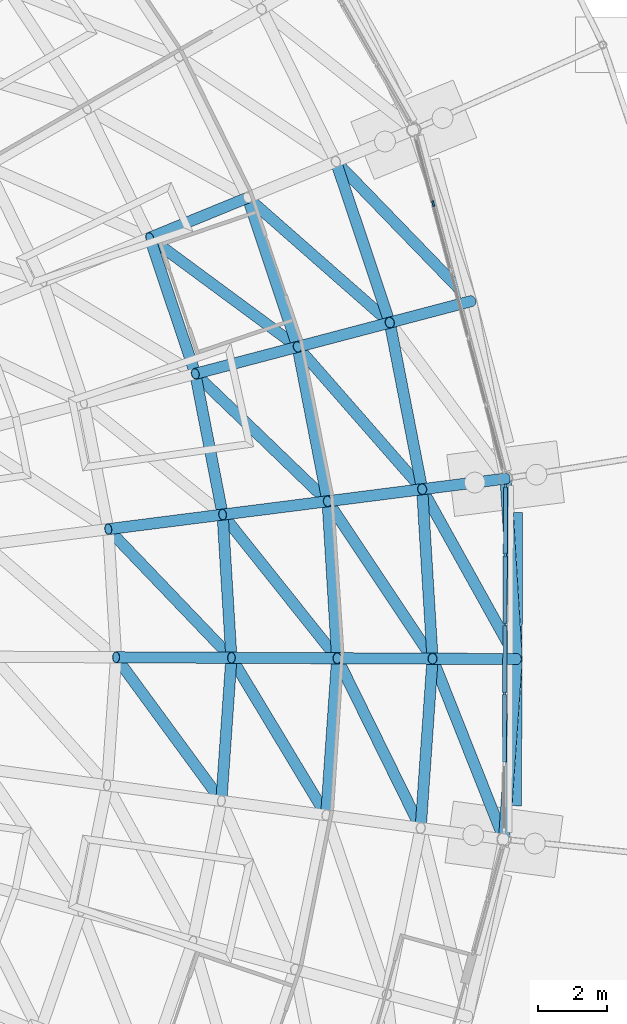
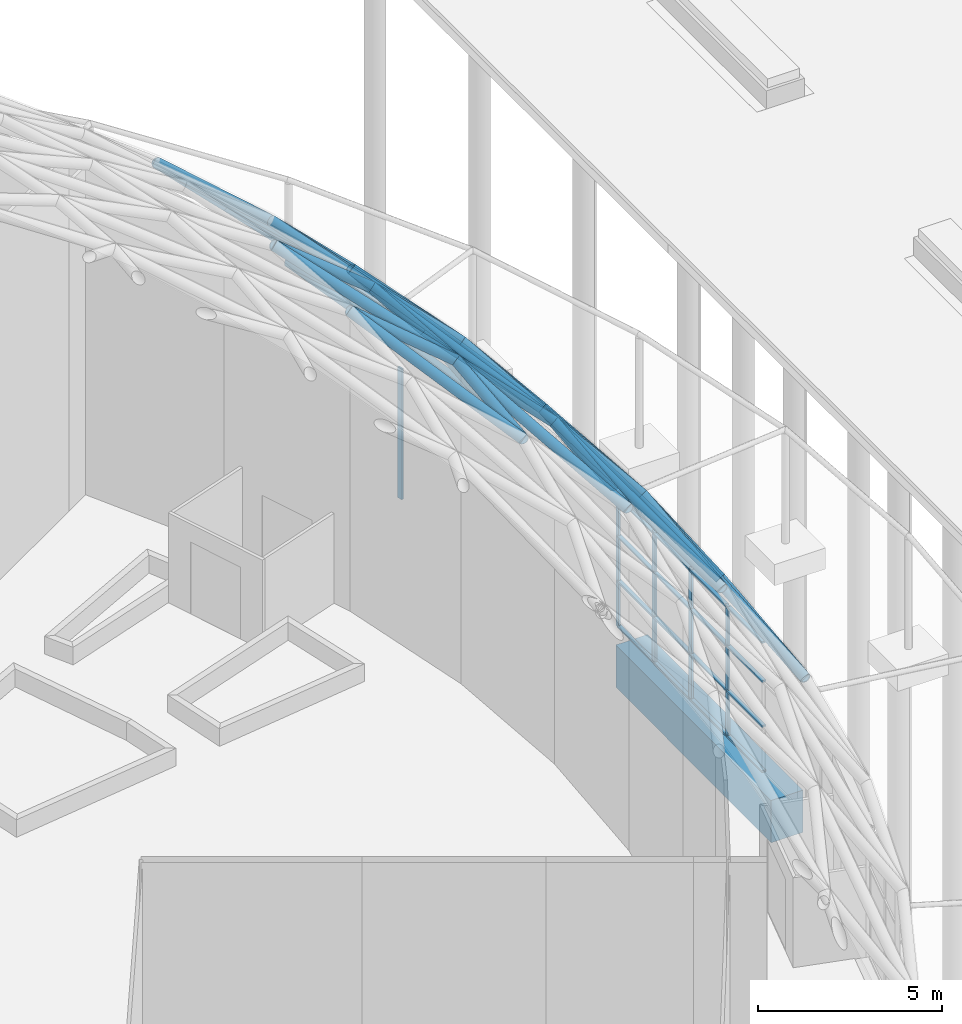
# One storey, part 111 of 226: 60 members, 1 beam, 2 elements without a shape of their own.
"""IFC4 building model written with IfcOpenShell, lengths in metres."""

from ifc_helpers import new_model, si_unit, direction, frame, origin, origin_2d, place, context, subcontext, project, spatial, rectangle, hollow_circle, extrude, material, material_profile, profile_set, type_object, element, aggregate, save


model = new_model("IFC4")

# Units and contexts
model_context = context("Model", 3, precision=1e-05, world=origin(), true_north=direction((0.0, 1.0)))
body_context = subcontext(model_context, "Body", "Model", "MODEL_VIEW")
ifc_project = project(units=[si_unit("LENGTHUNIT", "METRE"), si_unit("AREAUNIT", "SQUARE_METRE"), si_unit("VOLUMEUNIT", "CUBIC_METRE"), si_unit("PLANEANGLEUNIT", "RADIAN"), si_unit("MASSUNIT", "GRAM", prefix="KILO")], contexts=[model_context])

# Site, building, storey
site_placement = place(None, origin())
site = spatial("IfcSite", under=ifc_project, at=site_placement, CompositionType="ELEMENT")
building_placement = place(site_placement, origin())
building = spatial("IfcBuilding", under=site, at=building_placement, Name="Ceibo Conservatory and Research Tower", CompositionType="ELEMENT")
storey_placement = place(building_placement, origin())
storey = spatial("IfcBuildingStorey", under=building, at=storey_placement, Name="L00", CompositionType="ELEMENT", Elevation=0.0)

# Members
ifc_material_1 = material(Name="Steel ASTM A500 Gr C", Category="steel")
ifc_material_profile_1 = material_profile(ifc_material_1, hollow_circle(Radius=0.161865234375, WallThickness=0.01025390625, at=origin_2d()), Name="CHS 323.9x10.31")
ifc_profile_set_1 = profile_set([ifc_material_profile_1], Name="Steel ASTM A500 Gr C")
member_type_1 = type_object("IfcMemberType", Name="CHS 323.9x10.31", PredefinedType="NOTDEFINED", material=ifc_profile_set_1)
member_1_placement = place(storey_placement, frame((193.264892578125, 112.740966796875, 8.115966796875), z_axis=(-0.190905568132, 0.981608406676, 0.0), x_axis=(-0.981608406676, -0.190905568132, 0.0)))
element("IfcMember", 1, at=member_1_placement, inside=storey, type_object=member_type_1, Name="Gridshell member A-C02-01", PredefinedType="CHORD", context=body_context, shape_type="SweptSolid", body=[
    extrude(hollow_circle(Radius=0.161865234375, WallThickness=0.01025390625, at=origin_2d()), origin(), (0.0, 0.0, 1.0), 4.913330078125),
])
member_2_placement = place(storey_placement, frame((192.326904296875, 117.56396484375, 8.115966796875), z_axis=(-0.31722621995, 0.94834989607, 0.0), x_axis=(-0.94834989607, -0.31722621995, 0.0)))
element("IfcMember", 2, at=member_2_placement, inside=storey, type_object=member_type_1, Name="Gridshell member A-C02-02", PredefinedType="CHORD", context=body_context, shape_type="SweptSolid", body=[
    extrude(hollow_circle(Radius=0.161865234375, WallThickness=0.01025390625, at=origin_2d()), origin(), (0.0, 0.0, 1.0), 4.9140625),
])
member_3_placement = place(storey_placement, frame((193.221923828125, 102.93408203125, 8.115966796875), z_axis=(0.069806384365, 0.997560558915, 0.0), x_axis=(-0.997560558915, 0.069806384365, 0.0)))
element("IfcMember", 3, at=member_3_placement, inside=storey, type_object=member_type_1, Name="Gridshell member A-C02-47", PredefinedType="CHORD", context=body_context, shape_type="SweptSolid", body=[
    extrude(hollow_circle(Radius=0.161865234375, WallThickness=0.01025390625, at=origin_2d()), origin(), (0.0, 0.0, 1.0), 4.913818359375),
])
member_4_placement = place(storey_placement, frame((193.56494140625, 107.8359375, 8.115966796875), z_axis=(-0.061057537745, 0.998134248027, 0.0), x_axis=(-0.998134248027, -0.061057537745, 0.0)))
element("IfcMember", 4, at=member_4_placement, inside=storey, type_object=member_type_1, Name="Gridshell member A-C02-48", PredefinedType="CHORD", context=body_context, shape_type="SweptSolid", body=[
    extrude(hollow_circle(Radius=0.161865234375, WallThickness=0.01025390625, at=origin_2d()), origin(), (0.0, 0.0, 1.0), 4.914306640625),
])
member_5_placement = place(storey_placement, frame((190.527099609375, 112.39208984375, 11.489013671875), z_axis=(-0.190905541976, 0.981608411762, 0.0), x_axis=(-0.981608411762, -0.190905541976, 0.0)))
element("IfcMember", 5, at=member_5_placement, inside=storey, type_object=member_type_1, Name="Gridshell member A-C03-01", PredefinedType="CHORD", context=body_context, shape_type="SweptSolid", body=[
    extrude(hollow_circle(Radius=0.161865234375, WallThickness=0.01025390625, at=origin_2d()), origin(), (0.0, 0.0, 1.0), 4.552734375),
])
member_6_placement = place(storey_placement, frame((189.657958984375, 116.861083984375, 11.489013671875), z_axis=(-0.31736961709, 0.948301917191, 0.0), x_axis=(-0.948301917191, -0.31736961709, 0.0)))
element("IfcMember", 6, at=member_6_placement, inside=storey, type_object=member_type_1, Name="Gridshell member A-C03-02", PredefinedType="CHORD", context=body_context, shape_type="SweptSolid", body=[
    extrude(hollow_circle(Radius=0.161865234375, WallThickness=0.01025390625, at=origin_2d()), origin(), (0.0, 0.0, 1.0), 4.55322265625),
])
member_7_placement = place(storey_placement, frame((190.487060546875, 103.306884765625, 11.489013671875), z_axis=(0.0698291277, 0.997558967142, 0.0), x_axis=(-0.997558967142, 0.0698291277, 0.0)))
element("IfcMember", 7, at=member_7_placement, inside=storey, type_object=member_type_1, Name="Gridshell member A-C03-47", PredefinedType="CHORD", context=body_context, shape_type="SweptSolid", body=[
    extrude(hollow_circle(Radius=0.161865234375, WallThickness=0.01025390625, at=origin_2d()), origin(), (0.0, 0.0, 1.0), 4.55224609375),
])
member_8_placement = place(storey_placement, frame((190.804931640625, 107.847900390625, 11.489013671875), z_axis=(-0.061026108718, 0.998136170096, 0.0), x_axis=(-0.998136170096, -0.061026108718, 0.0)))
element("IfcMember", 8, at=member_8_placement, inside=storey, type_object=member_type_1, Name="Gridshell member A-C03-48", PredefinedType="CHORD", context=body_context, shape_type="SweptSolid", body=[
    extrude(hollow_circle(Radius=0.161865234375, WallThickness=0.01025390625, at=origin_2d()), origin(), (0.0, 0.0, 1.0), 4.552734375),
])
member_9_placement = place(storey_placement, frame((187.489013671875, 112.006103515625, 14.591064453125), z_axis=(-0.190742180699, 0.981640168546, 0.0), x_axis=(-0.981640168546, -0.190742180699, 0.0)))
element("IfcMember", 9, at=member_9_placement, inside=storey, type_object=member_type_1, Name="Gridshell member A-C04-01", PredefinedType="CHORD", context=body_context, shape_type="SweptSolid", body=[
    extrude(hollow_circle(Radius=0.161865234375, WallThickness=0.01025390625, at=origin_2d()), origin(), (0.0, 0.0, 1.0), 4.152099609375),
])
member_10_placement = place(storey_placement, frame((186.697021484375, 116.08203125, 14.591064453125), z_axis=(-0.317480004596, 0.948264966495, 0.0), x_axis=(-0.948264966495, -0.317480004596, 0.0)))
element("IfcMember", 10, at=member_10_placement, inside=storey, type_object=member_type_1, Name="Gridshell member A-C04-02", PredefinedType="CHORD", context=body_context, shape_type="SweptSolid", body=[
    extrude(hollow_circle(Radius=0.161865234375, WallThickness=0.01025390625, at=origin_2d()), origin(), (0.0, 0.0, 1.0), 4.15185546875),
])
member_11_placement = place(storey_placement, frame((187.452880859375, 103.718994140625, 14.591064453125), z_axis=(0.069851361764, 0.997557410508, 0.0), x_axis=(-0.997557410508, 0.069851361764, 0.0)))
element("IfcMember", 11, at=member_11_placement, inside=storey, type_object=member_type_1, Name="Gridshell member A-C04-47", PredefinedType="CHORD", context=body_context, shape_type="SweptSolid", body=[
    extrude(hollow_circle(Radius=0.161865234375, WallThickness=0.01025390625, at=origin_2d()), origin(), (0.0, 0.0, 1.0), 4.15234375),
])
member_12_placement = place(storey_placement, frame((187.742919921875, 107.861083984375, 14.591064453125), z_axis=(-0.061141141216, 0.998129130349, 0.0), x_axis=(-0.998129130349, -0.061141141216, 0.0)))
element("IfcMember", 12, at=member_12_placement, inside=storey, type_object=member_type_1, Name="Gridshell member A-C04-48", PredefinedType="CHORD", context=body_context, shape_type="SweptSolid", body=[
    extrude(hollow_circle(Radius=0.161865234375, WallThickness=0.01025390625, at=origin_2d()), origin(), (0.0, 0.0, 1.0), 4.15283203125),
])
ifc_material_profile_2 = material_profile(ifc_material_1, hollow_circle(Radius=0.161865234375, WallThickness=0.01416015625, at=origin_2d()), Name="CHS 323.9x14.27")
ifc_profile_set_2 = profile_set([ifc_material_profile_2], Name="Steel ASTM A500 Gr C")
member_type_2 = type_object("IfcMemberType", Name="CHS 323.9x14.27", PredefinedType="NOTDEFINED", material=ifc_profile_set_2)
member_13_placement = place(storey_placement, frame((195.679931640625, 113.048095703125, 4.5), z_axis=(-0.554019417167, -0.070456573675, 0.829516941737), x_axis=(0.126157387805, -0.992010238608, 0.0)))
element("IfcMember", 13, at=member_13_placement, inside=storey, type_object=member_type_2, Name="Gridshell member A-M01-01", PredefinedType="RAFTER", context=body_context, shape_type="SweptSolid", body=[
    extrude(hollow_circle(Radius=0.161865234375, WallThickness=0.01416015625, at=origin_2d()), origin(), (0.0, 0.0, 1.0), 4.359130859375),
])
member_14_placement = place(storey_placement, frame((194.681884765625, 118.18408203125, 4.5), z_axis=(-0.540188632558, -0.142243326425, 0.829435396726), x_axis=(0.254641337547, -0.967035567708, 0.0)))
element("IfcMember", 14, at=member_14_placement, inside=storey, type_object=member_type_2, Name="Gridshell member A-M02-01", PredefinedType="RAFTER", context=body_context, shape_type="SweptSolid", body=[
    extrude(hollow_circle(Radius=0.161865234375, WallThickness=0.01416015625, at=origin_2d()), origin(), (0.0, 0.0, 1.0), 4.359619140625),
])
member_15_placement = place(storey_placement, frame((196.0, 107.824951171875, 4.5), z_axis=(-0.558569512856, 0.002520115107, 0.829453885594), x_axis=(-0.00451168458, -0.999989822299, 0.0)))
element("IfcMember", 15, at=member_15_placement, inside=storey, type_object=member_type_2, Name="Gridshell member A-M48-01", PredefinedType="RAFTER", context=body_context, shape_type="SweptSolid", body=[
    extrude(hollow_circle(Radius=0.161865234375, WallThickness=0.01416015625, at=origin_2d()), origin(), (0.0, 0.0, 1.0), 4.359375),
])
for number, where, z_axis, x_axis, name in (
    (16, (193.264892578125, 112.740966796875, 8.115966796875), (-0.628180888534, -0.080049089505, 0.773938572854), (0.126407800723, -0.991978360609, 0.0), "Gridshell member A-M01-02"),
    (17, (192.326904296875, 117.56396484375, 8.115966796875), (-0.612382565304, -0.16127418638, 0.773936838844), (0.254671815969, -0.967027541568, 0.0), "Gridshell member A-M02-02"),
    (18, (193.56494140625, 107.8359375, 8.115966796875), (-0.633268958808, 0.002744819017, 0.773926929225), (-0.004334324611, -0.999990606771, 0.0), "Gridshell member A-M48-02"),
):
    element("IfcMember", number, at=place(storey_placement, frame(where, z_axis=z_axis, x_axis=x_axis)), inside=storey, type_object=member_type_2, Name=name, PredefinedType="RAFTER", context=body_context, shape_type="SweptSolid", body=[
        extrude(hollow_circle(Radius=0.161865234375, WallThickness=0.01416015625, at=origin_2d()), origin(), (0.0, 0.0, 1.0), 4.3583984375),
    ])
member_16_placement = place(storey_placement, frame((190.527099609375, 112.39208984375, 11.489013671875), z_axis=(-0.69695407421, -0.088547443855, 0.711627970662), x_axis=(0.126036047268, -0.992025662364, 0.0)))
element("IfcMember", 19, at=member_16_placement, inside=storey, type_object=member_type_2, Name="Gridshell member A-M01-03", PredefinedType="RAFTER", context=body_context, shape_type="SweptSolid", body=[
    extrude(hollow_circle(Radius=0.161865234375, WallThickness=0.01416015625, at=origin_2d()), origin(), (0.0, 0.0, 1.0), 4.359130859375),
])
member_17_placement = place(storey_placement, frame((189.657958984375, 116.861083984375, 11.489013671875), z_axis=(-0.679342983267, -0.178742039875, 0.711719322674), x_axis=(0.254450123778, -0.967085898206, 0.0)))
element("IfcMember", 20, at=member_17_placement, inside=storey, type_object=member_type_2, Name="Gridshell member A-M02-03", PredefinedType="RAFTER", context=body_context, shape_type="SweptSolid", body=[
    extrude(hollow_circle(Radius=0.161865234375, WallThickness=0.01416015625, at=origin_2d()), origin(), (0.0, 0.0, 1.0), 4.358642578125),
])
member_18_placement = place(storey_placement, frame((188.212890625, 121.178955078125, 11.489013671875), z_axis=(-0.650167746981, -0.266105010846, 0.71166707384), x_axis=(0.378788063188, -0.925483442956, 0.0)))
element("IfcMember", 21, at=member_18_placement, inside=storey, type_object=member_type_2, Name="Gridshell member A-M03-03", PredefinedType="RAFTER", context=body_context, shape_type="SweptSolid", body=[
    extrude(hollow_circle(Radius=0.161865234375, WallThickness=0.01416015625, at=origin_2d()), origin(), (0.0, 0.0, 1.0), 4.35888671875),
])
member_19_placement = place(storey_placement, frame((190.804931640625, 107.847900390625, 11.489013671875), z_axis=(-0.702495690598, 0.003024618665, 0.711681569505), x_axis=(-0.004305493501, -0.99999073132, 0.0)))
element("IfcMember", 22, at=member_19_placement, inside=storey, type_object=member_type_2, Name="Gridshell member A-M48-03", PredefinedType="RAFTER", context=body_context, shape_type="SweptSolid", body=[
    extrude(hollow_circle(Radius=0.161865234375, WallThickness=0.01416015625, at=origin_2d()), origin(), (0.0, 0.0, 1.0), 4.358642578125),
])
member_20_placement = place(storey_placement, frame((187.489013671875, 112.006103515625, 14.591064453125), z_axis=(-0.759554011809, -0.09661043138, 0.643229451823), x_axis=(0.126177064206, -0.992007736093, 0.0)))
element("IfcMember", 23, at=member_20_placement, inside=storey, type_object=member_type_2, Name="Gridshell member A-M01-04", PredefinedType="RAFTER", context=body_context, shape_type="SweptSolid", body=[
    extrude(hollow_circle(Radius=0.161865234375, WallThickness=0.01416015625, at=origin_2d()), origin(), (0.0, 0.0, 1.0), 4.359130859375),
])
member_21_placement = place(storey_placement, frame((187.742919921875, 107.861083984375, 14.591064453125), z_axis=(-0.765686053953, 0.003416241171, 0.643205407376), x_axis=(-0.004461629086, -0.999990046883, 0.0)))
element("IfcMember", 24, at=member_21_placement, inside=storey, type_object=member_type_2, Name="Gridshell member A-M48-04", PredefinedType="RAFTER", context=body_context, shape_type="SweptSolid", body=[
    extrude(hollow_circle(Radius=0.161865234375, WallThickness=0.01416015625, at=origin_2d()), origin(), (0.0, 0.0, 1.0), 4.359375),
])
ifc_material_2 = material(Name="Steel S355J2H", Category="steel")
ifc_material_profile_3 = material_profile(ifc_material_2, hollow_circle(Radius=0.161865234375, WallThickness=0.025390625, at=origin_2d()), Name="CHS 323.9x25.40")
ifc_profile_set_3 = profile_set([ifc_material_profile_3], Name="Steel S355J2H")
member_type_3 = type_object("IfcMemberType", Name="CHS 323.9x25.40", PredefinedType="NOTDEFINED", material=ifc_profile_set_3)
member_22_placement = place(storey_placement, frame((195.635009765625, 102.60595703125, 4.5), z_axis=(0.069764579115, 0.997563483444, 0.0), x_axis=(-0.997563483444, 0.069764579115, 0.0)))
element("IfcMember", 25, at=member_22_placement, inside=storey, type_object=member_type_3, Name="Gridshell member A-C01-47", PredefinedType="CHORD", context=body_context, shape_type="SweptSolid", body=[
    extrude(hollow_circle(Radius=0.161865234375, WallThickness=0.025390625, at=origin_2d()), origin(), (0.0, 0.0, 1.0), 5.231689453125),
])
member_23_placement = place(storey_placement, frame((196.0, 107.824951171875, 4.5), z_axis=(-0.06116413215, 0.998127721756, 0.0), x_axis=(-0.998127721756, -0.06116413215, 0.0)))
element("IfcMember", 26, at=member_23_placement, inside=storey, type_object=member_type_3, Name="Gridshell member A-C01-48", PredefinedType="CHORD", context=body_context, shape_type="SweptSolid", body=[
    extrude(hollow_circle(Radius=0.161865234375, WallThickness=0.025390625, at=origin_2d()), origin(), (0.0, 0.0, 1.0), 5.23291015625),
])
ifc_material_profile_4 = material_profile(ifc_material_1, hollow_circle(Radius=0.161865234375, WallThickness=0.00830078125, at=origin_2d()), Name="CHS 323.9x8.38")
ifc_profile_set_4 = profile_set([ifc_material_profile_4], Name="Steel ASTM A500 Gr C")
member_type_4 = type_object("IfcMemberType", Name="CHS 323.9x8.38", PredefinedType="NOTDEFINED", material=ifc_profile_set_4)
member_24_placement = place(storey_placement, frame((194.681884765625, 118.18408203125, 4.5), z_axis=(-0.585293276905, 0.604168994213, 0.54075096527), x_axis=(-0.718237511445, -0.695798014623, 0.0)))
element("IfcMember", 27, at=member_24_placement, inside=storey, type_object=member_type_4, Name="Gridshell diagonal member A-D01-02", PredefinedType="BRACE", context=body_context, shape_type="SweptSolid", body=[
    extrude(hollow_circle(Radius=0.161865234375, WallThickness=0.00830078125, at=origin_2d()), origin(), (0.0, 0.0, 1.0), 6.68701171875),
])
member_25_placement = place(storey_placement, frame((195.635009765625, 102.60595703125, 4.5), z_axis=(-0.30957602753, 0.782136768693, 0.540763125811), x_axis=(-0.929814658591, -0.368028124834, 0.0)))
element("IfcMember", 28, at=member_25_placement, inside=storey, type_object=member_type_4, Name="Gridshell diagonal member A-D01-47", PredefinedType="BRACE", context=body_context, shape_type="SweptSolid", body=[
    extrude(hollow_circle(Radius=0.161865234375, WallThickness=0.00830078125, at=origin_2d()), origin(), (0.0, 0.0, 1.0), 6.686767578125),
])
member_26_placement = place(storey_placement, frame((196.0, 107.824951171875, 4.5), z_axis=(-0.408985365174, 0.73510035822, 0.540701798053), x_axis=(-0.87385619026, -0.486184490439, 0.0)))
element("IfcMember", 29, at=member_26_placement, inside=storey, type_object=member_type_4, Name="Gridshell diagonal member A-D01-48", PredefinedType="BRACE", context=body_context, shape_type="SweptSolid", body=[
    extrude(hollow_circle(Radius=0.161865234375, WallThickness=0.00830078125, at=origin_2d()), origin(), (0.0, 0.0, 1.0), 6.6875),
])
member_27_placement = place(storey_placement, frame((193.264892578125, 112.740966796875, 8.115966796875), z_axis=(-0.560832641487, 0.640626212112, 0.524466209205), x_axis=(-0.75241095793, -0.658693973243, 0.0)))
element("IfcMember", 30, at=member_27_placement, inside=storey, type_object=member_type_4, Name="Gridshell diagonal member A-D02-01", PredefinedType="BRACE", context=body_context, shape_type="SweptSolid", body=[
    extrude(hollow_circle(Radius=0.161865234375, WallThickness=0.00830078125, at=origin_2d()), origin(), (0.0, 0.0, 1.0), 6.431396484375),
])
member_28_placement = place(storey_placement, frame((192.326904296875, 117.56396484375, 8.115966796875), z_axis=(-0.639615903283, 0.562031492487, 0.524415958682), x_axis=(-0.660078020008, -0.751197049716, 0.0)))
element("IfcMember", 31, at=member_28_placement, inside=storey, type_object=member_type_4, Name="Gridshell diagonal member A-D02-02", PredefinedType="BRACE", context=body_context, shape_type="SweptSolid", body=[
    extrude(hollow_circle(Radius=0.161865234375, WallThickness=0.00830078125, at=origin_2d()), origin(), (0.0, 0.0, 1.0), 6.431884765625),
])
for number, where, z_axis, x_axis, name in (
    (32, (193.221923828125, 102.93408203125, 8.115966796875), (-0.375802113996, 0.764017085696, 0.524452727976), (-0.897323915141, -0.441372621846, 0.0), "Gridshell diagonal member A-D02-47"),
    (33, (193.56494140625, 107.8359375, 8.115966796875), (-0.472336508124, 0.70840986214, 0.524455613295), (-0.8320159978, -0.554751637586, 0.0), "Gridshell diagonal member A-D02-48"),
):
    element("IfcMember", number, at=place(storey_placement, frame(where, z_axis=z_axis, x_axis=x_axis)), inside=storey, type_object=member_type_4, Name=name, PredefinedType="BRACE", context=body_context, shape_type="SweptSolid", body=[
        extrude(hollow_circle(Radius=0.161865234375, WallThickness=0.00830078125, at=origin_2d()), origin(), (0.0, 0.0, 1.0), 6.431640625),
    ])
member_29_placement = place(storey_placement, frame((190.527099609375, 112.39208984375, 11.489013671875), z_axis=(-0.62207515299, 0.59931437164, 0.503830118173), x_axis=(-0.693809278982, -0.720158791099, 0.0)))
element("IfcMember", 34, at=member_29_placement, inside=storey, type_object=member_type_4, Name="Gridshell diagonal member A-D03-01", PredefinedType="BRACE", context=body_context, shape_type="SweptSolid", body=[
    extrude(hollow_circle(Radius=0.161865234375, WallThickness=0.00830078125, at=origin_2d()), origin(), (0.0, 0.0, 1.0), 6.156982421875),
])
member_30_placement = place(storey_placement, frame((189.657958984375, 116.861083984375, 11.489013671875), z_axis=(-0.695016771584, 0.51292531183, 0.50384453128), x_axis=(-0.59380488963, -0.804609068462, 0.0)))
element("IfcMember", 35, at=member_30_placement, inside=storey, type_object=member_type_4, Name="Gridshell diagonal member A-D03-02", PredefinedType="BRACE", context=body_context, shape_type="SweptSolid", body=[
    extrude(hollow_circle(Radius=0.161865234375, WallThickness=0.00830078125, at=origin_2d()), origin(), (0.0, 0.0, 1.0), 6.15673828125),
])
member_31_placement = place(storey_placement, frame((190.487060546875, 103.306884765625, 11.489013671875), z_axis=(-0.44578200005, 0.739823614674, 0.503924029594), x_axis=(-0.85652717237, -0.516101930816, 0.0)))
element("IfcMember", 36, at=member_31_placement, inside=storey, type_object=member_type_4, Name="Gridshell diagonal member A-D03-47", PredefinedType="BRACE", context=body_context, shape_type="SweptSolid", body=[
    extrude(hollow_circle(Radius=0.161865234375, WallThickness=0.00830078125, at=origin_2d()), origin(), (0.0, 0.0, 1.0), 6.15576171875),
])
member_32_placement = place(storey_placement, frame((190.804931640625, 107.847900390625, 11.489013671875), z_axis=(-0.538560407164, 0.675361570815, 0.50382480735), x_axis=(-0.781844164542, -0.623473898709, 0.0)))
element("IfcMember", 37, at=member_32_placement, inside=storey, type_object=member_type_4, Name="Gridshell diagonal member A-D03-48", PredefinedType="BRACE", context=body_context, shape_type="SweptSolid", body=[
    extrude(hollow_circle(Radius=0.161865234375, WallThickness=0.00830078125, at=origin_2d()), origin(), (0.0, 0.0, 1.0), 6.156982421875),
])
member_33_placement = place(storey_placement, frame((187.452880859375, 103.718994140625, 14.591064453125), z_axis=(-0.519412348643, 0.708429514607, 0.477847711003), x_axis=(-0.806460706155, -0.591287687534, 0.0)))
element("IfcMember", 38, at=member_33_placement, inside=storey, type_object=member_type_4, Name="Gridshell diagonal member A-D04-47", PredefinedType="BRACE", context=body_context, shape_type="SweptSolid", body=[
    extrude(hollow_circle(Radius=0.161865234375, WallThickness=0.00830078125, at=origin_2d()), origin(), (0.0, 0.0, 1.0), 5.867919921875),
])
member_34_placement = place(storey_placement, frame((187.742919921875, 107.861083984375, 14.591064453125), z_axis=(-0.607479993378, 0.634563233735, 0.47780493932), x_axis=(-0.722353812018, -0.691523658499, 0.0)))
element("IfcMember", 39, at=member_34_placement, inside=storey, type_object=member_type_4, Name="Gridshell diagonal member A-D04-48", PredefinedType="BRACE", context=body_context, shape_type="SweptSolid", body=[
    extrude(hollow_circle(Radius=0.161865234375, WallThickness=0.00830078125, at=origin_2d()), origin(), (0.0, 0.0, 1.0), 5.868408203125),
])

# Curtain wall, member
ifc_material_3 = material(Name="Aluminium and glass", Category="aluminium")
curtain_wall_type = type_object("IfcCurtainWallType", Name="Drum curtain wall", PredefinedType="NOTDEFINED", material=ifc_material_3)
curtain_wall_1_placement = place(storey_placement, origin())
curtain_wall_1 = element("IfcCurtainWall", 40, at=curtain_wall_1_placement, inside=storey, type_object=curtain_wall_type, Name="Drum curtain wall A-CW01", PredefinedType="NOTDEFINED")
ifc_material_4 = material(Name="Aluminium", Category="aluminium")
ifc_material_profile_5 = material_profile(ifc_material_4, rectangle(XDim=0.06005859375, YDim=0.159912109375, at=origin_2d()), Name="AL 60x160")
ifc_profile_set_5 = profile_set([ifc_material_profile_5], Name="Aluminium")
member_type_5 = type_object("IfcMemberType", Name="Drum mullion 60x160", PredefinedType="MULLION", material=ifc_profile_set_5)
member_35_placement = place(storey_placement, frame((193.58447265625, 121.008544921875, 0.0), z_axis=(0.0, 0.0, 1.0), x_axis=(-0.967045935266, -0.254601962062, 0.0)))
member_35 = element("IfcMember", 41, at=member_35_placement, type_object=member_type_5, Name="A-CW01 mullion 5", PredefinedType="MULLION", context=body_context, shape_type="SweptSolid", body=[
    extrude(rectangle(XDim=0.06005859375, YDim=0.159912109375, at=origin_2d()), origin(), (0.0, 0.0, 1.0), 4.338134765625),
])
aggregate(curtain_wall_1, [member_35])

# Curtain wall, members
curtain_wall_2_placement = place(storey_placement, origin())
curtain_wall_2 = element("IfcCurtainWall", 42, at=curtain_wall_2_placement, inside=storey, type_object=curtain_wall_type, Name="Drum curtain wall A-CW24", PredefinedType="NOTDEFINED")
member_36_placement = place(storey_placement, frame((195.653076171875, 106.823486328125, 0.0), z_axis=(0.0, 0.0, 1.0), x_axis=(-0.999990480759, 0.004363300488, 0.0)))
member_36 = element("IfcMember", 43, at=member_36_placement, type_object=member_type_5, Name="A-CW24 mullion 3", PredefinedType="MULLION", context=body_context, shape_type="SweptSolid", body=[
    extrude(rectangle(XDim=0.06005859375, YDim=0.159912109375, at=origin_2d()), origin(), (0.0, 0.0, 1.0), 4.338134765625),
])
member_37_placement = place(storey_placement, frame((195.661865234375, 108.83056640625, 0.0), z_axis=(0.0, 0.0, 1.0), x_axis=(-0.999990480759, 0.004363300488, 0.0)))
member_37 = element("IfcMember", 44, at=member_37_placement, type_object=member_type_5, Name="A-CW24 mullion 4", PredefinedType="MULLION", context=body_context, shape_type="SweptSolid", body=[
    extrude(rectangle(XDim=0.06005859375, YDim=0.159912109375, at=origin_2d()), origin(), (0.0, 0.0, 1.0), 4.338134765625),
])
member_38_placement = place(storey_placement, frame((195.670654296875, 110.837646484375, 0.0), z_axis=(0.0, 0.0, 1.0), x_axis=(-0.999990480759, 0.004363300488, 0.0)))
member_38 = element("IfcMember", 45, at=member_38_placement, type_object=member_type_5, Name="A-CW24 mullion 5", PredefinedType="MULLION", context=body_context, shape_type="SweptSolid", body=[
    extrude(rectangle(XDim=0.06005859375, YDim=0.159912109375, at=origin_2d()), origin(), (0.0, 0.0, 1.0), 4.338134765625),
])
member_39_placement = place(storey_placement, frame((195.67919921875, 112.814697265625, 0.0), z_axis=(0.0, 0.0, 1.0), x_axis=(-0.999990480759, 0.004363300488, 0.0)))
member_39 = element("IfcMember", 46, at=member_39_placement, type_object=member_type_5, Name="A-CW24 mullion 6", PredefinedType="MULLION", context=body_context, shape_type="SweptSolid", body=[
    extrude(rectangle(XDim=0.06005859375, YDim=0.159912109375, at=origin_2d()), origin(), (0.0, 0.0, 1.0), 4.338134765625),
])
ifc_material_profile_6 = material_profile(ifc_material_4, rectangle(XDim=0.1201171875, YDim=0.06005859375, at=origin_2d()), Name="AL 60x120")
ifc_profile_set_6 = profile_set([ifc_material_profile_6], Name="Aluminium")
member_type_6 = type_object("IfcMemberType", Name="Drum transom 60x120", PredefinedType="USERDEFINED", material=ifc_profile_set_6)
member_40_placement = place(storey_placement, frame((195.64453125, 104.84619140625, 0.030029296875), z_axis=(0.004262749635, 0.999990914441, 0.0), x_axis=(-0.999990914441, 0.004262749635, 0.0)))
member_40 = element("IfcMember", 47, at=member_40_placement, type_object=member_type_6, Name="A-CW24 transom 2.1", ObjectType="TRANSOM", PredefinedType="USERDEFINED", context=body_context, shape_type="SweptSolid", body=[
    extrude(rectangle(XDim=0.1201171875, YDim=0.06005859375, at=origin_2d()), origin(), (0.0, 0.0, 1.0), 1.947265625),
])
member_41_placement = place(storey_placement, frame((195.64453125, 104.84619140625, 1.530029296875), z_axis=(0.004262749635, 0.999990914441, 0.0), x_axis=(-0.999990914441, 0.004262749635, 0.0)))
member_41 = element("IfcMember", 48, at=member_41_placement, type_object=member_type_6, Name="A-CW24 transom 2.2", ObjectType="TRANSOM", PredefinedType="USERDEFINED", context=body_context, shape_type="SweptSolid", body=[
    extrude(rectangle(XDim=0.1201171875, YDim=0.06005859375, at=origin_2d()), origin(), (0.0, 0.0, 1.0), 1.947265625),
])
member_42_placement = place(storey_placement, frame((195.64453125, 104.84619140625, 3.014892578125), z_axis=(0.004262749635, 0.999990914441, 0.0), x_axis=(-0.999990914441, 0.004262749635, 0.0)))
member_42 = element("IfcMember", 49, at=member_42_placement, type_object=member_type_6, Name="A-CW24 transom 2.3", ObjectType="TRANSOM", PredefinedType="USERDEFINED", context=body_context, shape_type="SweptSolid", body=[
    extrude(rectangle(XDim=0.1201171875, YDim=0.06005859375, at=origin_2d()), origin(), (0.0, 0.0, 1.0), 1.947265625),
])
member_43_placement = place(storey_placement, frame((195.64453125, 104.84619140625, 4.30810546875), z_axis=(0.004262749635, 0.999990914441, 0.0), x_axis=(-0.999990914441, 0.004262749635, 0.0)))
member_43 = element("IfcMember", 50, at=member_43_placement, type_object=member_type_6, Name="A-CW24 transom 2.4", ObjectType="TRANSOM", PredefinedType="USERDEFINED", context=body_context, shape_type="SweptSolid", body=[
    extrude(rectangle(XDim=0.1201171875, YDim=0.06005859375, at=origin_2d()), origin(), (0.0, 0.0, 1.0), 1.947265625),
])
member_44_placement = place(storey_placement, frame((195.653076171875, 106.853515625, 0.030029296875), z_axis=(0.004388672469, 0.999990369731, 0.0), x_axis=(-0.999990369731, 0.004388672469, 0.0)))
member_44 = element("IfcMember", 51, at=member_44_placement, type_object=member_type_6, Name="A-CW24 transom 3.1", ObjectType="TRANSOM", PredefinedType="USERDEFINED", context=body_context, shape_type="SweptSolid", body=[
    extrude(rectangle(XDim=0.1201171875, YDim=0.06005859375, at=origin_2d()), origin(), (0.0, 0.0, 1.0), 1.947021484375),
])
member_45_placement = place(storey_placement, frame((195.653076171875, 106.853515625, 1.530029296875), z_axis=(0.004388672469, 0.999990369731, 0.0), x_axis=(-0.999990369731, 0.004388672469, 0.0)))
member_45 = element("IfcMember", 52, at=member_45_placement, type_object=member_type_6, Name="A-CW24 transom 3.2", ObjectType="TRANSOM", PredefinedType="USERDEFINED", context=body_context, shape_type="SweptSolid", body=[
    extrude(rectangle(XDim=0.1201171875, YDim=0.06005859375, at=origin_2d()), origin(), (0.0, 0.0, 1.0), 1.947021484375),
])
member_46_placement = place(storey_placement, frame((195.653076171875, 106.853515625, 3.014892578125), z_axis=(0.004388672469, 0.999990369731, 0.0), x_axis=(-0.999990369731, 0.004388672469, 0.0)))
member_46 = element("IfcMember", 53, at=member_46_placement, type_object=member_type_6, Name="A-CW24 transom 3.3", ObjectType="TRANSOM", PredefinedType="USERDEFINED", context=body_context, shape_type="SweptSolid", body=[
    extrude(rectangle(XDim=0.1201171875, YDim=0.06005859375, at=origin_2d()), origin(), (0.0, 0.0, 1.0), 1.947021484375),
])
member_47_placement = place(storey_placement, frame((195.653076171875, 106.853515625, 4.30810546875), z_axis=(0.004388672469, 0.999990369731, 0.0), x_axis=(-0.999990369731, 0.004388672469, 0.0)))
member_47 = element("IfcMember", 54, at=member_47_placement, type_object=member_type_6, Name="A-CW24 transom 3.4", ObjectType="TRANSOM", PredefinedType="USERDEFINED", context=body_context, shape_type="SweptSolid", body=[
    extrude(rectangle(XDim=0.1201171875, YDim=0.06005859375, at=origin_2d()), origin(), (0.0, 0.0, 1.0), 1.947021484375),
])
member_48_placement = place(storey_placement, frame((195.661865234375, 108.860595703125, 0.030029296875), z_axis=(0.004388672469, 0.999990369731, 0.0), x_axis=(-0.999990369731, 0.004388672469, 0.0)))
member_48 = element("IfcMember", 55, at=member_48_placement, type_object=member_type_6, Name="A-CW24 transom 4.1", ObjectType="TRANSOM", PredefinedType="USERDEFINED", context=body_context, shape_type="SweptSolid", body=[
    extrude(rectangle(XDim=0.1201171875, YDim=0.06005859375, at=origin_2d()), origin(), (0.0, 0.0, 1.0), 1.947021484375),
])
member_49_placement = place(storey_placement, frame((195.661865234375, 108.860595703125, 1.530029296875), z_axis=(0.004388672469, 0.999990369731, 0.0), x_axis=(-0.999990369731, 0.004388672469, 0.0)))
member_49 = element("IfcMember", 56, at=member_49_placement, type_object=member_type_6, Name="A-CW24 transom 4.2", ObjectType="TRANSOM", PredefinedType="USERDEFINED", context=body_context, shape_type="SweptSolid", body=[
    extrude(rectangle(XDim=0.1201171875, YDim=0.06005859375, at=origin_2d()), origin(), (0.0, 0.0, 1.0), 1.947021484375),
])
member_50_placement = place(storey_placement, frame((195.661865234375, 108.860595703125, 3.014892578125), z_axis=(0.004388672469, 0.999990369731, 0.0), x_axis=(-0.999990369731, 0.004388672469, 0.0)))
member_50 = element("IfcMember", 57, at=member_50_placement, type_object=member_type_6, Name="A-CW24 transom 4.3", ObjectType="TRANSOM", PredefinedType="USERDEFINED", context=body_context, shape_type="SweptSolid", body=[
    extrude(rectangle(XDim=0.1201171875, YDim=0.06005859375, at=origin_2d()), origin(), (0.0, 0.0, 1.0), 1.947021484375),
])
member_51_placement = place(storey_placement, frame((195.661865234375, 108.860595703125, 4.30810546875), z_axis=(0.004388672469, 0.999990369731, 0.0), x_axis=(-0.999990369731, 0.004388672469, 0.0)))
member_51 = element("IfcMember", 58, at=member_51_placement, type_object=member_type_6, Name="A-CW24 transom 4.4", ObjectType="TRANSOM", PredefinedType="USERDEFINED", context=body_context, shape_type="SweptSolid", body=[
    extrude(rectangle(XDim=0.1201171875, YDim=0.06005859375, at=origin_2d()), origin(), (0.0, 0.0, 1.0), 1.947021484375),
])
member_52_placement = place(storey_placement, frame((195.670654296875, 110.86767578125, 0.030029296875), z_axis=(0.004330066385, 0.999990625219, 0.0), x_axis=(-0.999990625219, 0.004330066385, 0.0)))
member_52 = element("IfcMember", 59, at=member_52_placement, type_object=member_type_6, Name="A-CW24 transom 5.1", ObjectType="TRANSOM", PredefinedType="USERDEFINED", context=body_context, shape_type="SweptSolid", body=[
    extrude(rectangle(XDim=0.1201171875, YDim=0.06005859375, at=origin_2d()), origin(), (0.0, 0.0, 1.0), 1.9169921875),
])
member_53_placement = place(storey_placement, frame((195.670654296875, 110.86767578125, 1.530029296875), z_axis=(0.004330066385, 0.999990625219, 0.0), x_axis=(-0.999990625219, 0.004330066385, 0.0)))
member_53 = element("IfcMember", 60, at=member_53_placement, type_object=member_type_6, Name="A-CW24 transom 5.2", ObjectType="TRANSOM", PredefinedType="USERDEFINED", context=body_context, shape_type="SweptSolid", body=[
    extrude(rectangle(XDim=0.1201171875, YDim=0.06005859375, at=origin_2d()), origin(), (0.0, 0.0, 1.0), 1.9169921875),
])
member_54_placement = place(storey_placement, frame((195.670654296875, 110.86767578125, 3.014892578125), z_axis=(0.004330066385, 0.999990625219, 0.0), x_axis=(-0.999990625219, 0.004330066385, 0.0)))
member_54 = element("IfcMember", 61, at=member_54_placement, type_object=member_type_6, Name="A-CW24 transom 5.3", ObjectType="TRANSOM", PredefinedType="USERDEFINED", context=body_context, shape_type="SweptSolid", body=[
    extrude(rectangle(XDim=0.1201171875, YDim=0.06005859375, at=origin_2d()), origin(), (0.0, 0.0, 1.0), 1.9169921875),
])
member_55_placement = place(storey_placement, frame((195.670654296875, 110.86767578125, 4.30810546875), z_axis=(0.004330066385, 0.999990625219, 0.0), x_axis=(-0.999990625219, 0.004330066385, 0.0)))
member_55 = element("IfcMember", 62, at=member_55_placement, type_object=member_type_6, Name="A-CW24 transom 5.4", ObjectType="TRANSOM", PredefinedType="USERDEFINED", context=body_context, shape_type="SweptSolid", body=[
    extrude(rectangle(XDim=0.1201171875, YDim=0.06005859375, at=origin_2d()), origin(), (0.0, 0.0, 1.0), 1.9169921875),
])
aggregate(curtain_wall_2, [member_36, member_37, member_38, member_39, member_40, member_41, member_42, member_43, member_44, member_45, member_46, member_47, member_48, member_49, member_50, member_51, member_52, member_53, member_54, member_55])

# Beam
ifc_material_5 = material(Name="Concrete C35/45", Category="concrete")
ifc_material_profile_7 = material_profile(ifc_material_5, rectangle(XDim=1.0, YDim=1.39990234375, at=origin_2d()), Name="RC 1000x1400")
ifc_profile_set_7 = profile_set([ifc_material_profile_7], Name="Concrete C35/45")
beam_type = type_object("IfcBeamType", Name="RC ring beam 1000x1400", PredefinedType="BEAM", material=ifc_profile_set_7)
beam_placement = place(storey_placement, frame((195.638916015625, 103.58056640625, -0.699951171875), z_axis=(0.004369406647, 0.999990454097, 0.0), x_axis=(-0.999990454097, 0.004369406647, 0.0)))
element("IfcBeam", 63, at=beam_placement, inside=storey, type_object=beam_type, Name="Drum ring beam A-RB24", PredefinedType="BEAM", context=body_context, shape_type="SweptSolid", body=[
    extrude(rectangle(XDim=1.0, YDim=1.39990234375, at=origin_2d()), origin(), (0.0, 0.0, 1.0), 8.492919921875),
])

save(model, "model.ifc")
